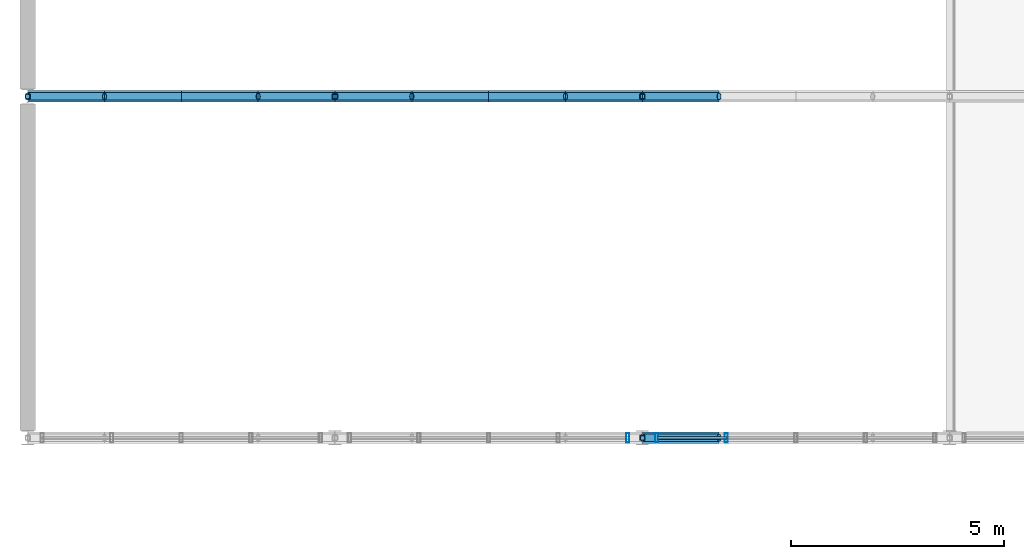
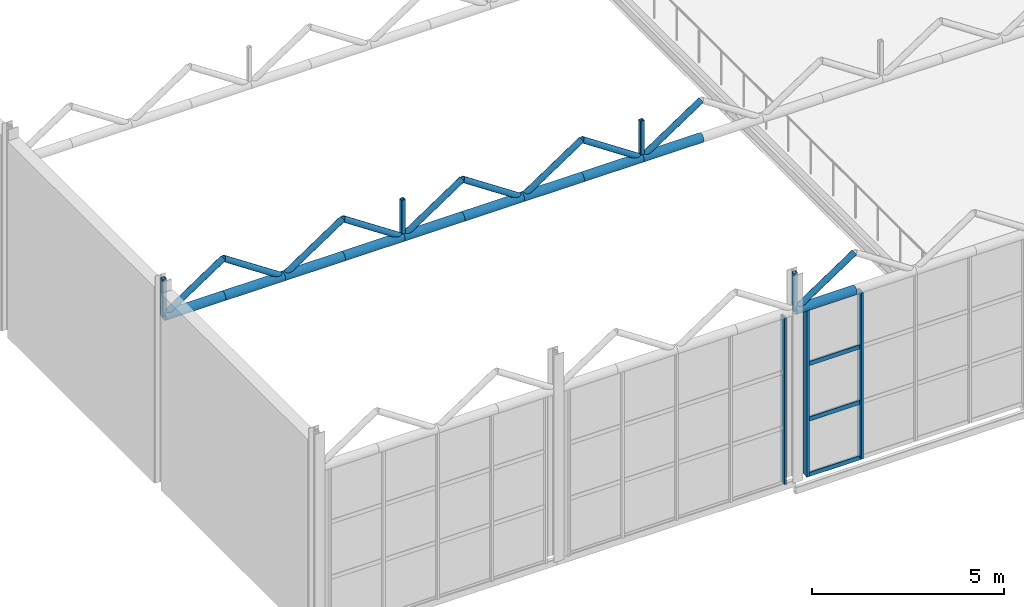
# One storey, part 84 of 153: 31 members, 2 elements without a shape of their own.
"""IFC4 building model written with IfcOpenShell, lengths in metres."""

from ifc_helpers import new_model, si_unit, derived_unit, direction, frame, origin, origin_2d, place, context, subcontext, project, spatial, hollow_rectangle, hollow_circle, extrude, material, material_profile, profile_set, type_object, element, aggregate, save


model = new_model("IFC4")

# Units and contexts
model_context = context("Model", 3, precision=1e-05, world=origin(), true_north=direction((0.0, 1.0)))
body_context = subcontext(model_context, "Body", "Model", "MODEL_VIEW")
ifc_project = project(units=[si_unit("LENGTHUNIT", "METRE"), si_unit("AREAUNIT", "SQUARE_METRE"), si_unit("VOLUMEUNIT", "CUBIC_METRE"), si_unit("PLANEANGLEUNIT", "RADIAN"), si_unit("MASSUNIT", "GRAM", prefix="KILO"), derived_unit("THERMALTRANSMITTANCEUNIT", [(si_unit("POWERUNIT", "WATT"), 1), (si_unit("LENGTHUNIT", "METRE"), -2), (si_unit("THERMODYNAMICTEMPERATUREUNIT", "KELVIN"), -1)])], contexts=[model_context])

# Site, building, storey
site_placement = place(None, origin())
site = spatial("IfcSite", under=ifc_project, at=site_placement, CompositionType="ELEMENT")
building_placement = place(site_placement, origin())
building = spatial("IfcBuilding", under=site, at=building_placement, Name="Keldorne Ridge Multi-Sports Centre", CompositionType="ELEMENT")
storey_placement = place(building_placement, frame((0.0, 0.0, 9.60009765625)))
storey = spatial("IfcBuildingStorey", under=building, at=storey_placement, Name="L02", CompositionType="ELEMENT", Elevation=9.60009765625)

# Curtain wall, member
ifc_material_1 = material(Name="Anodized aluminium", Category="aluminium")
curtain_wall_type_1 = type_object("IfcCurtainWallType", Name="CW-CW-01", PredefinedType="NOTDEFINED", material=ifc_material_1)
curtain_wall_1_placement = place(storey_placement, origin())
curtain_wall_1 = element("IfcCurtainWall", 1, at=curtain_wall_1_placement, inside=storey, type_object=curtain_wall_type_1, Name="Climbing upper south glazing 041", PredefinedType="NOTDEFINED")
ifc_material_profile_1 = material_profile(ifc_material_1, hollow_rectangle(XDim=0.074951171875, YDim=0.219970703125, WallThickness=0.0048828125, InnerFilletRadius=0.0048828125, OuterFilletRadius=0.010009765625, at=origin_2d()), Name="ALU MULLION 220x75x5")
ifc_profile_set_1 = profile_set([ifc_material_profile_1], Name="Anodized aluminium")
member_type_1 = type_object("IfcMemberType", Name="MEM-ML-02", PredefinedType="MULLION", material=ifc_profile_set_1)
member_1_placement = place(storey_placement, frame((20.06005859375, 74.0, 0.0), z_axis=(0.0, 0.0, 1.0), x_axis=(1.0, 0.0, 0.0)))
member_1 = element("IfcMember", 2, at=member_1_placement, type_object=member_type_1, Name="CW-041 vertical mullion 5", PredefinedType="MULLION", context=body_context, shape_type="SweptSolid", body=[
    extrude(hollow_rectangle(XDim=0.074951171875, YDim=0.219970703125, WallThickness=0.0048828125, InnerFilletRadius=0.0048828125, OuterFilletRadius=0.010009765625, at=origin_2d()), origin(), (0.0, 0.0, 1.0), 5.2998046875),
])
aggregate(curtain_wall_1, [member_1])

# Curtain wall, members
curtain_wall_type_2 = type_object("IfcCurtainWallType", Name="CW-CW-05", PredefinedType="NOTDEFINED", material=ifc_material_1)
curtain_wall_2_placement = place(storey_placement, origin())
curtain_wall_2 = element("IfcCurtainWall", 3, at=curtain_wall_2_placement, inside=storey, type_object=curtain_wall_type_2, Name="Climbing upper south glazing 045", PredefinedType="NOTDEFINED")
member_2_placement = place(storey_placement, frame((20.739990234375, 74.0, 0.0), z_axis=(0.0, 0.0, 1.0), x_axis=(1.0, 0.0, 0.0)))
member_2 = element("IfcMember", 4, at=member_2_placement, type_object=member_type_1, Name="CW-045 vertical mullion 1", PredefinedType="MULLION", context=body_context, shape_type="SweptSolid", body=[
    extrude(hollow_rectangle(XDim=0.074951171875, YDim=0.219970703125, WallThickness=0.0048828125, InnerFilletRadius=0.0048828125, OuterFilletRadius=0.010009765625, at=origin_2d()), origin(), (0.0, 0.0, 1.0), 5.2998046875),
])
member_3_placement = place(storey_placement, frame((22.3701171875, 74.0, 0.0), z_axis=(0.0, 0.0, 1.0), x_axis=(1.0, 0.0, 0.0)))
member_3 = element("IfcMember", 5, at=member_3_placement, type_object=member_type_1, Name="CW-045 vertical mullion 2", PredefinedType="MULLION", context=body_context, shape_type="SweptSolid", body=[
    extrude(hollow_rectangle(XDim=0.074951171875, YDim=0.219970703125, WallThickness=0.0048828125, InnerFilletRadius=0.0048828125, OuterFilletRadius=0.010009765625, at=origin_2d()), origin(), (0.0, 0.0, 1.0), 5.2998046875),
])

# Members
ifc_material_2 = material(Name="Steel S355", Category="steel")
ifc_material_profile_2 = material_profile(ifc_material_2, hollow_circle(Radius=0.136474609375, WallThickness=0.012451171875, at=origin_2d()), Name="CHS 273x12.5")
ifc_profile_set_2 = profile_set([ifc_material_profile_2], Name="Steel S355")
member_type_2 = type_object("IfcMemberType", Name="MEM-TC-05", PredefinedType="CHORD", material=ifc_profile_set_2)
for number, where, z_axis, x_axis, name in (
    (6, (20.39990234375, 74.0, 5.3798828125), (1.0, 0.0, 0.0), (0.0, 1.0, 0.0), "Climbing sawtooth ROOF TRUSS ST-01 bottom chord 9"),
    (7, (6.0, 82.0, 5.3798828125), (1.0, 0.0, 0.0), (0.0, 1.0, 0.0), "Climbing sawtooth ROOF TRUSS ST-02 bottom chord 1"),
    (8, (7.800048828125, 82.0, 5.3798828125), (1.0, 0.0, 0.0), (0.0, 1.0, 0.0), "Climbing sawtooth ROOF TRUSS ST-02 bottom chord 2"),
):
    element("IfcMember", number, at=place(storey_placement, frame(where, z_axis=z_axis, x_axis=x_axis)), inside=storey, type_object=member_type_2, Name=name, PredefinedType="CHORD", context=body_context, shape_type="SweptSolid", body=[
        extrude(hollow_circle(Radius=0.136474609375, WallThickness=0.012451171875, at=origin_2d()), origin(), (0.0, 0.0, 1.0), 1.800048828125),
    ])
member_4_placement = place(storey_placement, frame((9.60009765625, 82.0, 5.3798828125), z_axis=(1.0, 0.0, 0.0), x_axis=(0.0, 1.0, 0.0)))
element("IfcMember", 9, at=member_4_placement, inside=storey, type_object=member_type_2, Name="Climbing sawtooth ROOF TRUSS ST-02 bottom chord 3", PredefinedType="CHORD", context=body_context, shape_type="SweptSolid", body=[
    extrude(hollow_circle(Radius=0.136474609375, WallThickness=0.012451171875, at=origin_2d()), origin(), (0.0, 0.0, 1.0), 1.7998046875),
])
for number, where, z_axis, x_axis, name in (
    (10, (11.39990234375, 82.0, 5.3798828125), (1.0, 0.0, 0.0), (0.0, 1.0, 0.0), "Climbing sawtooth ROOF TRUSS ST-02 bottom chord 4"),
    (11, (13.199951171875, 82.0, 5.3798828125), (1.0, 0.0, 0.0), (0.0, 1.0, 0.0), "Climbing sawtooth ROOF TRUSS ST-02 bottom chord 5"),
    (12, (15.0, 82.0, 5.3798828125), (1.0, 0.0, 0.0), (0.0, 1.0, 0.0), "Climbing sawtooth ROOF TRUSS ST-02 bottom chord 6"),
    (13, (16.800048828125, 82.0, 5.3798828125), (1.0, 0.0, 0.0), (0.0, 1.0, 0.0), "Climbing sawtooth ROOF TRUSS ST-02 bottom chord 7"),
):
    element("IfcMember", number, at=place(storey_placement, frame(where, z_axis=z_axis, x_axis=x_axis)), inside=storey, type_object=member_type_2, Name=name, PredefinedType="CHORD", context=body_context, shape_type="SweptSolid", body=[
        extrude(hollow_circle(Radius=0.136474609375, WallThickness=0.012451171875, at=origin_2d()), origin(), (0.0, 0.0, 1.0), 1.800048828125),
    ])
member_5_placement = place(storey_placement, frame((18.60009765625, 82.0, 5.3798828125), z_axis=(1.0, 0.0, 0.0), x_axis=(0.0, 1.0, 0.0)))
element("IfcMember", 14, at=member_5_placement, inside=storey, type_object=member_type_2, Name="Climbing sawtooth ROOF TRUSS ST-02 bottom chord 8", PredefinedType="CHORD", context=body_context, shape_type="SweptSolid", body=[
    extrude(hollow_circle(Radius=0.136474609375, WallThickness=0.012451171875, at=origin_2d()), origin(), (0.0, 0.0, 1.0), 1.7998046875),
])
member_6_placement = place(storey_placement, frame((20.39990234375, 82.0, 5.3798828125), z_axis=(1.0, 0.0, 0.0), x_axis=(0.0, 1.0, 0.0)))
element("IfcMember", 15, at=member_6_placement, inside=storey, type_object=member_type_2, Name="Climbing sawtooth ROOF TRUSS ST-02 bottom chord 9", PredefinedType="CHORD", context=body_context, shape_type="SweptSolid", body=[
    extrude(hollow_circle(Radius=0.136474609375, WallThickness=0.012451171875, at=origin_2d()), origin(), (0.0, 0.0, 1.0), 1.800048828125),
])
ifc_material_profile_3 = material_profile(ifc_material_2, hollow_circle(Radius=0.0888671875, WallThickness=0.010009765625, at=origin_2d()), Name="CHS 177.8x10")
ifc_profile_set_3 = profile_set([ifc_material_profile_3], Name="Steel S355")
member_type_3 = type_object("IfcMemberType", Name="MEM-TD-03", PredefinedType="BRACE", material=ifc_profile_set_3)
for number, where, z_axis, x_axis, name in (
    (16, (20.39990234375, 74.0, 5.3798828125), (0.832067655982, 0.0, 0.554674152876), (0.0, 1.0, 0.0), "Climbing sawtooth web diagonal 01.9"),
    (17, (6.0, 82.0, 5.3798828125), (0.832067655982, 0.0, 0.554674152876), (0.0, 1.0, 0.0), "Climbing sawtooth web diagonal 02.1"),
    (18, (7.800048828125, 82.0, 6.579833984375), (0.832067655982, 0.0, -0.554674152876), (0.0, 1.0, 0.0), "Climbing sawtooth web diagonal 02.2"),
):
    element("IfcMember", number, at=place(storey_placement, frame(where, z_axis=z_axis, x_axis=x_axis)), inside=storey, type_object=member_type_3, Name=name, PredefinedType="BRACE", context=body_context, shape_type="SweptSolid", body=[
        extrude(hollow_circle(Radius=0.0888671875, WallThickness=0.010009765625, at=origin_2d()), origin(), (0.0, 0.0, 1.0), 2.163330078125),
    ])
member_7_placement = place(storey_placement, frame((9.60009765625, 82.0, 5.3798828125), z_axis=(0.832032930248, 0.0, 0.554726241477), x_axis=(0.0, 1.0, 0.0)))
element("IfcMember", 19, at=member_7_placement, inside=storey, type_object=member_type_3, Name="Climbing sawtooth web diagonal 02.3", PredefinedType="BRACE", context=body_context, shape_type="SweptSolid", body=[
    extrude(hollow_circle(Radius=0.0888671875, WallThickness=0.010009765625, at=origin_2d()), origin(), (0.0, 0.0, 1.0), 2.1630859375),
])
for number, where, z_axis, x_axis, name in (
    (20, (11.39990234375, 82.0, 6.579833984375), (0.832067655982, 0.0, -0.554674152876), (0.0, 1.0, 0.0), "Climbing sawtooth web diagonal 02.4"),
    (21, (13.199951171875, 82.0, 5.3798828125), (0.832067655982, 0.0, 0.554674152876), (0.0, 1.0, 0.0), "Climbing sawtooth web diagonal 02.5"),
    (22, (15.0, 82.0, 6.579833984375), (0.832067655982, 0.0, -0.554674152876), (0.0, 1.0, 0.0), "Climbing sawtooth web diagonal 02.6"),
    (23, (16.800048828125, 82.0, 5.3798828125), (0.832067655982, 0.0, 0.554674152876), (0.0, 1.0, 0.0), "Climbing sawtooth web diagonal 02.7"),
):
    element("IfcMember", number, at=place(storey_placement, frame(where, z_axis=z_axis, x_axis=x_axis)), inside=storey, type_object=member_type_3, Name=name, PredefinedType="BRACE", context=body_context, shape_type="SweptSolid", body=[
        extrude(hollow_circle(Radius=0.0888671875, WallThickness=0.010009765625, at=origin_2d()), origin(), (0.0, 0.0, 1.0), 2.163330078125),
    ])
member_8_placement = place(storey_placement, frame((18.60009765625, 82.0, 6.579833984375), z_axis=(0.832032930248, 0.0, -0.554726241477), x_axis=(0.0, 1.0, 0.0)))
element("IfcMember", 24, at=member_8_placement, inside=storey, type_object=member_type_3, Name="Climbing sawtooth web diagonal 02.8", PredefinedType="BRACE", context=body_context, shape_type="SweptSolid", body=[
    extrude(hollow_circle(Radius=0.0888671875, WallThickness=0.010009765625, at=origin_2d()), origin(), (0.0, 0.0, 1.0), 2.1630859375),
])
member_9_placement = place(storey_placement, frame((20.39990234375, 82.0, 5.3798828125), z_axis=(0.832067655982, 0.0, 0.554674152876), x_axis=(0.0, 1.0, 0.0)))
element("IfcMember", 25, at=member_9_placement, inside=storey, type_object=member_type_3, Name="Climbing sawtooth web diagonal 02.9", PredefinedType="BRACE", context=body_context, shape_type="SweptSolid", body=[
    extrude(hollow_circle(Radius=0.0888671875, WallThickness=0.010009765625, at=origin_2d()), origin(), (0.0, 0.0, 1.0), 2.163330078125),
])

# Member
ifc_material_profile_4 = material_profile(ifc_material_1, hollow_rectangle(XDim=0.06494140625, YDim=0.139892578125, WallThickness=0.00439453125, InnerFilletRadius=0.00439453125, OuterFilletRadius=0.009033203125, at=origin_2d()), Name="ALU TRANSOM 140x65x4.5")
ifc_profile_set_4 = profile_set([ifc_material_profile_4], Name="Anodized aluminium")
member_type_4 = type_object("IfcMemberType", Name="MEM-TR-01", PredefinedType="USERDEFINED", material=ifc_profile_set_4)
member_10_placement = place(storey_placement, frame((20.739990234375, 74.0, 0.0), z_axis=(1.0, 0.0, 0.0), x_axis=(0.0, 1.0, 0.0)))
member_10 = element("IfcMember", 26, at=member_10_placement, type_object=member_type_4, Name="CW-045 transom 1.1", ObjectType="TRANSOM", PredefinedType="USERDEFINED", context=body_context, shape_type="SweptSolid", body=[
    extrude(hollow_rectangle(XDim=0.06494140625, YDim=0.139892578125, WallThickness=0.00439453125, InnerFilletRadius=0.00439453125, OuterFilletRadius=0.009033203125, at=origin_2d()), origin(), (0.0, 0.0, 1.0), 1.630126953125),
])

member_11_placement = place(storey_placement, frame((20.739990234375, 74.0, 1.7666015625), z_axis=(1.0, 0.0, 0.0), x_axis=(0.0, 1.0, 0.0)))
member_11 = element("IfcMember", 27, at=member_11_placement, type_object=member_type_4, Name="CW-045 transom 1.2", ObjectType="TRANSOM", PredefinedType="USERDEFINED", context=body_context, shape_type="SweptSolid", body=[
    extrude(hollow_rectangle(XDim=0.06494140625, YDim=0.139892578125, WallThickness=0.00439453125, InnerFilletRadius=0.00439453125, OuterFilletRadius=0.009033203125, at=origin_2d()), origin(), (0.0, 0.0, 1.0), 1.630126953125),
])

member_12_placement = place(storey_placement, frame((20.739990234375, 74.0, 3.533203125), z_axis=(1.0, 0.0, 0.0), x_axis=(0.0, 1.0, 0.0)))
member_12 = element("IfcMember", 28, at=member_12_placement, type_object=member_type_4, Name="CW-045 transom 1.3", ObjectType="TRANSOM", PredefinedType="USERDEFINED", context=body_context, shape_type="SweptSolid", body=[
    extrude(hollow_rectangle(XDim=0.06494140625, YDim=0.139892578125, WallThickness=0.00439453125, InnerFilletRadius=0.00439453125, OuterFilletRadius=0.009033203125, at=origin_2d()), origin(), (0.0, 0.0, 1.0), 1.630126953125),
])

member_13_placement = place(storey_placement, frame((20.739990234375, 74.0, 5.2998046875), z_axis=(1.0, 0.0, 0.0), x_axis=(0.0, 1.0, 0.0)))
member_13 = element("IfcMember", 29, at=member_13_placement, type_object=member_type_4, Name="CW-045 transom 1.4", ObjectType="TRANSOM", PredefinedType="USERDEFINED", context=body_context, shape_type="SweptSolid", body=[
    extrude(hollow_rectangle(XDim=0.06494140625, YDim=0.139892578125, WallThickness=0.00439453125, InnerFilletRadius=0.00439453125, OuterFilletRadius=0.009033203125, at=origin_2d()), origin(), (0.0, 0.0, 1.0), 1.630126953125),
])

aggregate(curtain_wall_2, [member_2, member_3, member_10, member_11, member_12, member_13])

# Members
ifc_material_profile_5 = material_profile(ifc_material_2, hollow_rectangle(XDim=0.1201171875, YDim=0.1201171875, WallThickness=0.008056640625, InnerFilletRadius=0.008056640625, OuterFilletRadius=0.01611328125, at=origin_2d()), Name="SHS 120x120x8")
ifc_profile_set_5 = profile_set([ifc_material_profile_5], Name="Steel S355")
member_type_5 = type_object("IfcMemberType", Name="MEM-TV-02", PredefinedType="STRUT", material=ifc_profile_set_5)
for number, where, z_axis, x_axis, name in (
    (30, (20.39990234375, 74.0, 5.3798828125), (0.0, 0.0, 1.0), (1.0, 0.0, 0.0), "Climbing sawtooth vertical strut 01.3"),
    (31, (6.0, 82.0, 5.3798828125), (0.0, 0.0, 1.0), (1.0, 0.0, 0.0), "Climbing sawtooth vertical strut 02.1"),
    (32, (13.199951171875, 82.0, 5.3798828125), (0.0, 0.0, 1.0), (1.0, 0.0, 0.0), "Climbing sawtooth vertical strut 02.2"),
    (33, (20.39990234375, 82.0, 5.3798828125), (0.0, 0.0, 1.0), (1.0, 0.0, 0.0), "Climbing sawtooth vertical strut 02.3"),
):
    element("IfcMember", number, at=place(storey_placement, frame(where, z_axis=z_axis, x_axis=x_axis)), inside=storey, type_object=member_type_5, Name=name, PredefinedType="STRUT", context=body_context, shape_type="SweptSolid", body=[
        extrude(hollow_rectangle(XDim=0.1201171875, YDim=0.1201171875, WallThickness=0.008056640625, InnerFilletRadius=0.008056640625, OuterFilletRadius=0.01611328125, at=origin_2d()), origin(), (0.0, 0.0, 1.0), 1.199951171875),
    ])

save(model, "model.ifc")
